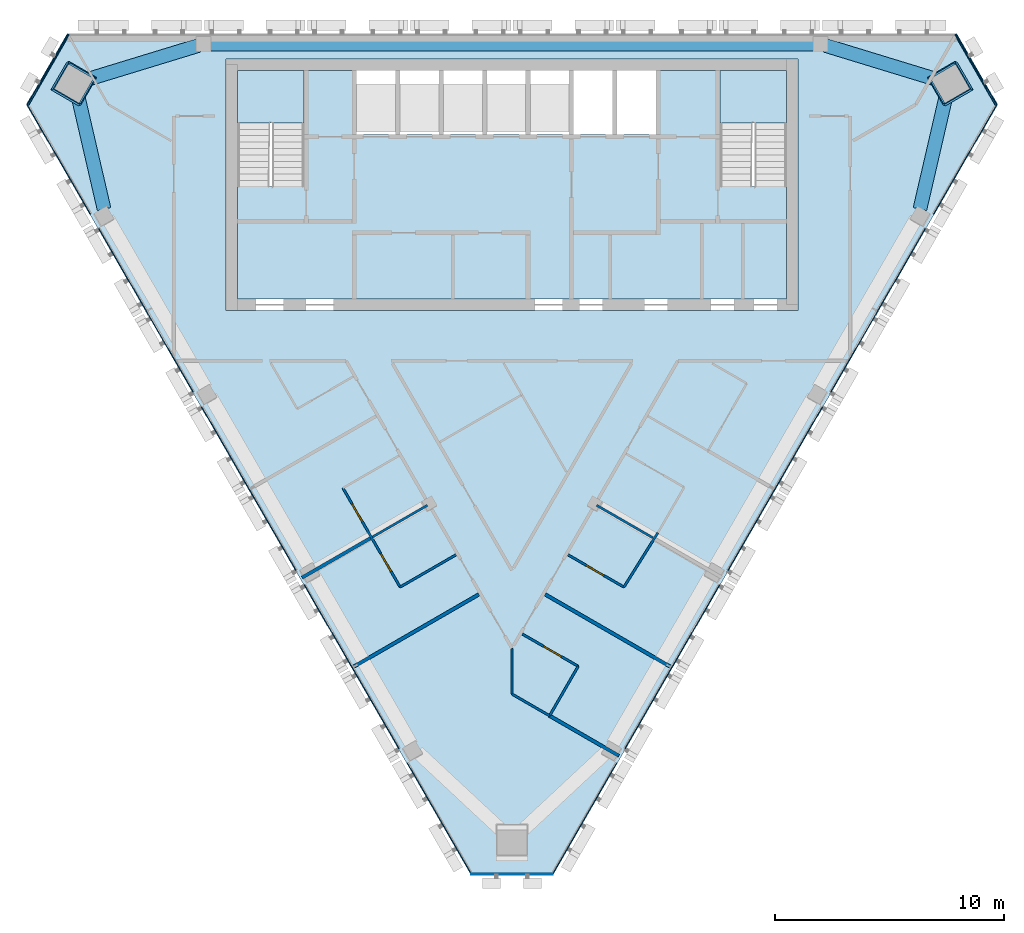
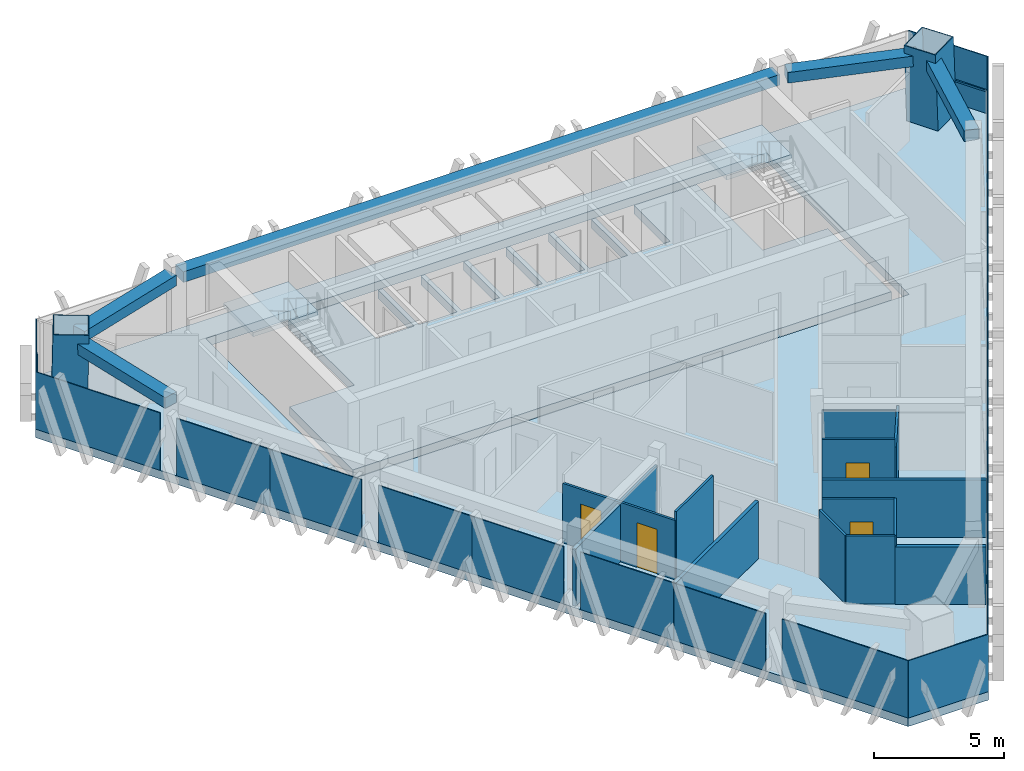
# One storey, part 5 of 11: 19 plates, 14 walls, 5 beams, 4 doors, 4 members, 4 slabs, 4 openings, 7 elements without a shape of their own.
"""IFC4 building model written with IfcOpenShell, lengths in metres."""

from ifc_helpers import new_model, si_unit, direction, frame, frame_2d, origin, origin_2d, place, context, subcontext, project, spatial, polyline, rectangle, hollow_rectangle, outline, extrude, material, layer, layer_set, material_profile, profile_set, type_object, element, fill, aggregate, save


model = new_model("IFC4")

# Units and contexts
model_context = context("Model", 3, precision=1e-05, world=origin(), true_north=direction((0.0, 1.0)))
body_context = subcontext(model_context, "Body", "Model", "MODEL_VIEW")
ifc_project = project(units=[si_unit("LENGTHUNIT", "METRE"), si_unit("AREAUNIT", "SQUARE_METRE"), si_unit("VOLUMEUNIT", "CUBIC_METRE"), si_unit("PLANEANGLEUNIT", "RADIAN"), si_unit("MASSUNIT", "GRAM", prefix="KILO")], contexts=[model_context])

# Site, building, storey
site_placement = place(None, origin())
site = spatial("IfcSite", under=ifc_project, at=site_placement, CompositionType="ELEMENT")
building_placement = place(site_placement, origin())
building = spatial("IfcBuilding", under=site, at=building_placement, Name="Altiplano Prism Tower", CompositionType="ELEMENT")
storey_placement = place(building_placement, frame((0.0, 0.0, 327.39990234375)))
storey = spatial("IfcBuildingStorey", under=building, at=storey_placement, Name="L85", CompositionType="ELEMENT", Elevation=327.39990234375)

# Curtain wall, member
ifc_material_1 = material(Name="Aluminium and glass", Category="aluminium")
ifc_layer_1 = layer(ifc_material_1, 0.280029296875)
ifc_layer_set_1 = layer_set([ifc_layer_1], Name="Aluminium and glass")
curtain_wall_type = type_object("IfcCurtainWallType", Name="CW1 typical co-living unitised curtain wall", PredefinedType="NOTDEFINED", material=ifc_layer_set_1)
curtain_wall_1_placement = place(storey_placement, origin())
curtain_wall_1 = element("IfcCurtainWall", 1, at=curtain_wall_1_placement, inside=storey, type_object=curtain_wall_type, Name="CW1 curtain wall north-west chamfer L85", PredefinedType="NOTDEFINED")
ifc_material_2 = material(Name="Aluminium", Category="aluminium")
ifc_material_profile_1 = material_profile(ifc_material_2, rectangle(XDim=0.06005859375, YDim=0.080078125, at=origin_2d()), Name="CW1 transom 80 x 60")
ifc_profile_set_1 = profile_set([ifc_material_profile_1], Name="Aluminium")
member_type_1 = type_object("IfcMemberType", Name="CW1 transom 80 x 60", PredefinedType="USERDEFINED", material=ifc_profile_set_1)
member_1_placement = place(storey_placement, frame((65.6142578125, 104.965087890625, 1.10009765625), z_axis=(-0.4999705729, -0.866042392862, 0.0), x_axis=(0.866042392862, -0.4999705729, 0.0)))
member_1 = element("IfcMember", 2, at=member_1_placement, type_object=member_type_1, Name="CW1 transom", ObjectType="TRANSOM", PredefinedType="USERDEFINED", context=body_context, shape_type="SweptSolid", body=[
    extrude(rectangle(XDim=0.06005859375, YDim=0.080078125, at=origin_2d()), origin(), (0.0, 0.0, 1.0), 3.577392578125),
])

curtain_wall_2_placement = place(storey_placement, origin())
curtain_wall_2 = element("IfcCurtainWall", 3, at=curtain_wall_2_placement, inside=storey, type_object=curtain_wall_type, Name="CW1 curtain wall north-east chamfer L85", PredefinedType="NOTDEFINED")
member_2_placement = place(storey_placement, frame((106.17431640625, 101.866943359375, 1.10009765625), z_axis=(-0.4999705729, 0.866042392862, 0.0), x_axis=(-0.866042392862, -0.4999705729, 0.0)))
member_2 = element("IfcMember", 4, at=member_2_placement, type_object=member_type_1, Name="CW1 transom", ObjectType="TRANSOM", PredefinedType="USERDEFINED", context=body_context, shape_type="SweptSolid", body=[
    extrude(rectangle(XDim=0.06005859375, YDim=0.080078125, at=origin_2d()), origin(), (0.0, 0.0, 1.0), 3.577392578125),
])

# Beams
ifc_material_3 = material(Name="Concrete C60/75", Category="concrete")
ifc_material_profile_2 = material_profile(ifc_material_3, rectangle(XDim=0.60009765625, YDim=0.5, at=origin_2d()), Name="Edge beam 600x500")
ifc_profile_set_2 = profile_set([ifc_material_profile_2], Name="Concrete C60/75")
beam_type = type_object("IfcBeamType", Name="Edge beam 600x500", PredefinedType="SPANDREL", material=ifc_profile_set_2)
beam_1_placement = place(storey_placement, frame((102.841552734375, 97.330078125, 2.9501953125), z_axis=(0.225027553278, 0.974352400452, 0.0), x_axis=(-0.974352400452, 0.225027553278, 0.0)))
element("IfcBeam", 5, at=beam_1_placement, inside=storey, type_object=beam_type, Name="Edge beam P24-M2 L86", PredefinedType="SPANDREL", context=body_context, shape_type="SweptSolid", body=[
    extrude(rectangle(XDim=0.60009765625, YDim=0.5, at=origin_2d()), origin(), (0.0, 0.0, 1.0), 5.198974609375),
])
beam_2_placement = place(storey_placement, frame((103.682373046875, 102.9658203125, 2.9501953125), z_axis=(-0.956311465301, 0.292349758566, 0.0), x_axis=(-0.292349758566, -0.956311465301, 0.0)))
element("IfcBeam", 6, at=beam_2_placement, inside=storey, type_object=beam_type, Name="Edge beam M2-P01 L86", PredefinedType="SPANDREL", context=body_context, shape_type="SweptSolid", body=[
    extrude(rectangle(XDim=0.60009765625, YDim=0.5, at=origin_2d()), origin(), (0.0, 0.0, 1.0), 5.19921875),
])
beam_3_placement = place(storey_placement, frame((98.294921875, 104.550048828125, 2.9501953125), z_axis=(-1.0, 0.0, 0.0), x_axis=(0.0, -1.0, 0.0)))
element("IfcBeam", 7, at=beam_3_placement, inside=storey, type_object=beam_type, Name="Edge beam P01-P04 L86", PredefinedType="SPANDREL", context=body_context, shape_type="SweptSolid", body=[
    extrude(rectangle(XDim=0.60009765625, YDim=0.5, at=origin_2d()), origin(), (0.0, 0.0, 1.0), 26.58984375),
])
beam_4_placement = place(storey_placement, frame((71.289794921875, 104.48583984375, 2.9501953125), z_axis=(-0.956311465301, -0.292349758566, 0.0), x_axis=(0.292349758566, -0.956311465301, 0.0)))
element("IfcBeam", 8, at=beam_4_placement, inside=storey, type_object=beam_type, Name="Edge beam P04-M0 L86", PredefinedType="SPANDREL", context=body_context, shape_type="SweptSolid", body=[
    extrude(rectangle(XDim=0.60009765625, YDim=0.5, at=origin_2d()), origin(), (0.0, 0.0, 1.0), 5.19921875),
])
beam_5_placement = place(storey_placement, frame((65.988525390625, 102.395751953125, 2.9501953125), z_axis=(0.225027553278, -0.974352400452, 0.0), x_axis=(0.974352400452, 0.225027553278, 0.0)))
element("IfcBeam", 9, at=beam_5_placement, inside=storey, type_object=beam_type, Name="Edge beam M0-P11 L86", PredefinedType="SPANDREL", context=body_context, shape_type="SweptSolid", body=[
    extrude(rectangle(XDim=0.60009765625, YDim=0.5, at=origin_2d()), origin(), (0.0, 0.0, 1.0), 5.198974609375),
])

# Members
ifc_material_4 = material(Name="Steel S460", Category="steel")
ifc_material_profile_3 = material_profile(ifc_material_4, hollow_rectangle(XDim=1.39990234375, YDim=1.39990234375, WallThickness=0.0400390625, at=origin_2d()), Name="Mega column tube 1400")
ifc_profile_set_3 = profile_set([ifc_material_profile_3], Name="Steel S460")
member_type_2 = type_object("IfcMemberType", Name="Mega column tube 1400", PredefinedType="POST", material=ifc_profile_set_3)
for number, where, z_axis, x_axis, name in (
    (10, (65.78515625, 102.801025390625, 0.0), (0.028401814599, 0.009218727412, 0.999554076572), (-0.865120123322, 0.501167417498, 0.019959756062), "Mega column tube M0 L85"),
    (11, (104.21484375, 102.801025390625, 0.0), (-0.028401814599, 0.009218727412, 0.999554076572), (0.500757440285, -0.865302682537, 0.02220931319), "Mega column tube M2 L85"),
):
    element("IfcMember", number, at=place(storey_placement, frame(where, z_axis=z_axis, x_axis=x_axis)), inside=storey, type_object=member_type_2, Name=name, PredefinedType="POST", context=body_context, shape_type="SweptSolid", body=[
        extrude(hollow_rectangle(XDim=1.39990234375, YDim=1.39990234375, WallThickness=0.0400390625, at=origin_2d()), origin(), (0.0, 0.0, 1.0), 3.601806640625),
    ])

# Plate
ifc_material_5 = material(Name="Clear glass", Category="glass")
ifc_layer_2 = layer(ifc_material_5, 0.0400390625)
ifc_layer_set_2 = layer_set([ifc_layer_2], Name="Clear glass")
plate_type = type_object("IfcPlateType", Name="CW1 insulated glass unit 40", PredefinedType="CURTAIN_PANEL", material=ifc_layer_set_2)
plate_1_placement = place(storey_placement, frame((64.676513671875, 103.44091796875, 0.0), z_axis=(0.0, 0.0, 1.0), x_axis=(-0.499999986971, -0.866025411307, 0.0)))
plate_1 = element("IfcPlate", 12, at=plate_1_placement, type_object=plate_type, Name="CW1 panel", PredefinedType="CURTAIN_PANEL", context=body_context, shape_type="SweptSolid", body=[
    extrude(rectangle(XDim=3.5673828125, YDim=0.0400390625, at=origin_2d()), origin(), (0.0, 0.0, 1.0), 2.699951171875),
])

aggregate(curtain_wall_1, [member_1, plate_1])

# Curtain wall, plates
curtain_wall_3_placement = place(storey_placement, origin())
curtain_wall_3 = element("IfcCurtainWall", 13, at=curtain_wall_3_placement, inside=storey, type_object=curtain_wall_type, Name="CW1 curtain wall south-west face L85", PredefinedType="NOTDEFINED")
plate_2_placement = place(storey_placement, frame((65.167724609375, 99.51220703125, 0.0), z_axis=(0.0, 0.0, 1.0), x_axis=(0.499999993455, -0.866025407563, 0.0)))
plate_2 = element("IfcPlate", 14, at=plate_2_placement, type_object=plate_type, Name="CW1 panel", PredefinedType="CURTAIN_PANEL", context=body_context, shape_type="SweptSolid", body=[
    extrude(rectangle(XDim=5.53173828125, YDim=0.0400390625, at=origin_2d()), origin(), (0.0, 0.0, 1.0), 2.699951171875),
])
plate_3_placement = place(storey_placement, frame((67.9619140625, 94.6728515625, 0.0), z_axis=(0.0, 0.0, 1.0), x_axis=(0.499999993455, -0.866025407563, 0.0)))
plate_3 = element("IfcPlate", 15, at=plate_3_placement, type_object=plate_type, Name="CW1 panel", PredefinedType="CURTAIN_PANEL", context=body_context, shape_type="SweptSolid", body=[
    extrude(rectangle(XDim=4.16455078125, YDim=0.0400390625, at=origin_2d()), origin(), (0.0, 0.0, 1.0), 2.699951171875),
])
plate_4_placement = place(storey_placement, frame((70.029296875, 91.091796875, 0.0), z_axis=(0.0, 0.0, 1.0), x_axis=(0.499999993455, -0.866025407563, 0.0)))
plate_4 = element("IfcPlate", 16, at=plate_4_placement, type_object=plate_type, Name="CW1 panel", PredefinedType="CURTAIN_PANEL", context=body_context, shape_type="SweptSolid", body=[
    extrude(rectangle(XDim=4.08544921875, YDim=0.0400390625, at=origin_2d()), origin(), (0.0, 0.0, 1.0), 2.699951171875),
])
plate_5_placement = place(storey_placement, frame((72.4619140625, 86.87841796875, 0.0), z_axis=(0.0, 0.0, 1.0), x_axis=(0.499999993455, -0.866025407563, 0.0)))
plate_5 = element("IfcPlate", 17, at=plate_5_placement, type_object=plate_type, Name="CW1 panel", PredefinedType="CURTAIN_PANEL", context=body_context, shape_type="SweptSolid", body=[
    extrude(rectangle(XDim=4.16455078125, YDim=0.0400390625, at=origin_2d()), origin(), (0.0, 0.0, 1.0), 2.699951171875),
])
plate_6_placement = place(storey_placement, frame((74.529296875, 83.297607421875, 0.0), z_axis=(0.0, 0.0, 1.0), x_axis=(0.499999993455, -0.866025407563, 0.0)))
plate_6 = element("IfcPlate", 18, at=plate_6_placement, type_object=plate_type, Name="CW1 panel", PredefinedType="CURTAIN_PANEL", context=body_context, shape_type="SweptSolid", body=[
    extrude(rectangle(XDim=4.08544921875, YDim=0.0400390625, at=origin_2d()), origin(), (0.0, 0.0, 1.0), 2.699951171875),
])
plate_7_placement = place(storey_placement, frame((76.9619140625, 79.084228515625, 0.0), z_axis=(0.0, 0.0, 1.0), x_axis=(0.499999993455, -0.866025407563, 0.0)))
plate_7 = element("IfcPlate", 19, at=plate_7_placement, type_object=plate_type, Name="CW1 panel", PredefinedType="CURTAIN_PANEL", context=body_context, shape_type="SweptSolid", body=[
    extrude(rectangle(XDim=4.16455078125, YDim=0.0400390625, at=origin_2d()), origin(), (0.0, 0.0, 1.0), 2.699951171875),
])
plate_8_placement = place(storey_placement, frame((79.029296875, 75.50341796875, 0.0), z_axis=(0.0, 0.0, 1.0), x_axis=(0.499999993455, -0.866025407563, 0.0)))
plate_8 = element("IfcPlate", 20, at=plate_8_placement, type_object=plate_type, Name="CW1 panel", PredefinedType="CURTAIN_PANEL", context=body_context, shape_type="SweptSolid", body=[
    extrude(rectangle(XDim=4.08544921875, YDim=0.0400390625, at=origin_2d()), origin(), (0.0, 0.0, 1.0), 2.699951171875),
])
plate_9_placement = place(storey_placement, frame((81.823486328125, 70.663818359375, 0.0), z_axis=(0.0, 0.0, 1.0), x_axis=(0.499999993455, -0.866025407563, 0.0)))
plate_9 = element("IfcPlate", 21, at=plate_9_placement, type_object=plate_type, Name="CW1 panel", PredefinedType="CURTAIN_PANEL", context=body_context, shape_type="SweptSolid", body=[
    extrude(rectangle(XDim=5.61083984375, YDim=0.0400390625, at=origin_2d()), origin(), (0.0, 0.0, 1.0), 2.699951171875),
])
aggregate(curtain_wall_3, [plate_2, plate_3, plate_4, plate_5, plate_6, plate_7, plate_8, plate_9])

# Curtain wall, plate
curtain_wall_4_placement = place(storey_placement, origin())
curtain_wall_4 = element("IfcCurtainWall", 22, at=curtain_wall_4_placement, inside=storey, type_object=curtain_wall_type, Name="CW1 curtain wall south chamfer L85", PredefinedType="NOTDEFINED")
plate_10_placement = place(storey_placement, frame((85.0, 68.23974609375, 0.0), z_axis=(0.0, 0.0, 1.0), x_axis=(1.0, 0.0, 0.0)))
plate_10 = element("IfcPlate", 23, at=plate_10_placement, type_object=plate_type, Name="CW1 panel", PredefinedType="CURTAIN_PANEL", context=body_context, shape_type="SweptSolid", body=[
    extrude(rectangle(XDim=3.5673828125, YDim=0.0400390625, at=origin_2d()), origin(), (0.0, 0.0, 1.0), 2.699951171875),
])
aggregate(curtain_wall_4, [plate_10])

# Curtain wall, plates
curtain_wall_5_placement = place(storey_placement, origin())
curtain_wall_5 = element("IfcCurtainWall", 24, at=curtain_wall_5_placement, inside=storey, type_object=curtain_wall_type, Name="CW1 curtain wall south-east face L85", PredefinedType="NOTDEFINED")
plate_11_placement = place(storey_placement, frame((88.176513671875, 70.663818359375, 0.0), z_axis=(0.0, 0.0, 1.0), x_axis=(0.499999993455, 0.866025407563, 0.0)))
plate_11 = element("IfcPlate", 25, at=plate_11_placement, type_object=plate_type, Name="CW1 panel", PredefinedType="CURTAIN_PANEL", context=body_context, shape_type="SweptSolid", body=[
    extrude(rectangle(XDim=5.61083984375, YDim=0.0400390625, at=origin_2d()), origin(), (0.0, 0.0, 1.0), 2.699951171875),
])
plate_12_placement = place(storey_placement, frame((90.970703125, 75.50341796875, 0.0), z_axis=(0.0, 0.0, 1.0), x_axis=(0.499999993455, 0.866025407563, 0.0)))
plate_12 = element("IfcPlate", 26, at=plate_12_placement, type_object=plate_type, Name="CW1 panel", PredefinedType="CURTAIN_PANEL", context=body_context, shape_type="SweptSolid", body=[
    extrude(rectangle(XDim=4.08544921875, YDim=0.0400390625, at=origin_2d()), origin(), (0.0, 0.0, 1.0), 2.699951171875),
])
plate_13_placement = place(storey_placement, frame((93.0380859375, 79.084228515625, 0.0), z_axis=(0.0, 0.0, 1.0), x_axis=(0.499999993455, 0.866025407563, 0.0)))
plate_13 = element("IfcPlate", 27, at=plate_13_placement, type_object=plate_type, Name="CW1 panel", PredefinedType="CURTAIN_PANEL", context=body_context, shape_type="SweptSolid", body=[
    extrude(rectangle(XDim=4.16455078125, YDim=0.0400390625, at=origin_2d()), origin(), (0.0, 0.0, 1.0), 2.699951171875),
])
plate_14_placement = place(storey_placement, frame((95.470703125, 83.297607421875, 0.0), z_axis=(0.0, 0.0, 1.0), x_axis=(0.499999993455, 0.866025407563, 0.0)))
plate_14 = element("IfcPlate", 28, at=plate_14_placement, type_object=plate_type, Name="CW1 panel", PredefinedType="CURTAIN_PANEL", context=body_context, shape_type="SweptSolid", body=[
    extrude(rectangle(XDim=4.08544921875, YDim=0.0400390625, at=origin_2d()), origin(), (0.0, 0.0, 1.0), 2.699951171875),
])
plate_15_placement = place(storey_placement, frame((97.5380859375, 86.87841796875, 0.0), z_axis=(0.0, 0.0, 1.0), x_axis=(0.499999993455, 0.866025407563, 0.0)))
plate_15 = element("IfcPlate", 29, at=plate_15_placement, type_object=plate_type, Name="CW1 panel", PredefinedType="CURTAIN_PANEL", context=body_context, shape_type="SweptSolid", body=[
    extrude(rectangle(XDim=4.16455078125, YDim=0.0400390625, at=origin_2d()), origin(), (0.0, 0.0, 1.0), 2.699951171875),
])
plate_16_placement = place(storey_placement, frame((99.970703125, 91.091796875, 0.0), z_axis=(0.0, 0.0, 1.0), x_axis=(0.499999993455, 0.866025407563, 0.0)))
plate_16 = element("IfcPlate", 30, at=plate_16_placement, type_object=plate_type, Name="CW1 panel", PredefinedType="CURTAIN_PANEL", context=body_context, shape_type="SweptSolid", body=[
    extrude(rectangle(XDim=4.08544921875, YDim=0.0400390625, at=origin_2d()), origin(), (0.0, 0.0, 1.0), 2.699951171875),
])
plate_17_placement = place(storey_placement, frame((102.0380859375, 94.6728515625, 0.0), z_axis=(0.0, 0.0, 1.0), x_axis=(0.499999993455, 0.866025407563, 0.0)))
plate_17 = element("IfcPlate", 31, at=plate_17_placement, type_object=plate_type, Name="CW1 panel", PredefinedType="CURTAIN_PANEL", context=body_context, shape_type="SweptSolid", body=[
    extrude(rectangle(XDim=4.16455078125, YDim=0.0400390625, at=origin_2d()), origin(), (0.0, 0.0, 1.0), 2.699951171875),
])
plate_18_placement = place(storey_placement, frame((104.832275390625, 99.51220703125, 0.0), z_axis=(0.0, 0.0, 1.0), x_axis=(0.499999993455, 0.866025407563, 0.0)))
plate_18 = element("IfcPlate", 32, at=plate_18_placement, type_object=plate_type, Name="CW1 panel", PredefinedType="CURTAIN_PANEL", context=body_context, shape_type="SweptSolid", body=[
    extrude(rectangle(XDim=5.53173828125, YDim=0.0400390625, at=origin_2d()), origin(), (0.0, 0.0, 1.0), 2.699951171875),
])
aggregate(curtain_wall_5, [plate_11, plate_12, plate_13, plate_14, plate_15, plate_16, plate_17, plate_18])

# Plate
plate_19_placement = place(storey_placement, frame((105.323486328125, 103.44091796875, 0.0), z_axis=(0.0, 0.0, 1.0), x_axis=(-0.499999986971, 0.866025411307, 0.0)))
plate_19 = element("IfcPlate", 33, at=plate_19_placement, type_object=plate_type, Name="CW1 panel", PredefinedType="CURTAIN_PANEL", context=body_context, shape_type="SweptSolid", body=[
    extrude(rectangle(XDim=3.5673828125, YDim=0.0400390625, at=origin_2d()), origin(), (0.0, 0.0, 1.0), 2.699951171875),
])

aggregate(curtain_wall_2, [member_2, plate_19])

# Slabs
ifc_material_6 = material(Name="Concrete C40/50", Category="concrete")
ifc_layer_3 = layer(ifc_material_6, 0.39990234375)
ifc_layer_set_3 = layer_set([ifc_layer_3], Name="Concrete C40/50")
slab_type_1 = type_object("IfcSlabType", Name="Core floor slab 400", PredefinedType="FLOOR", material=ifc_layer_set_3)
slab_1_placement = place(storey_placement, frame((0.0, 0.0, -0.39990234375)))
element("IfcSlab", 34, at=slab_1_placement, inside=storey, type_object=slab_type_1, Name="Core floor slab L85", PredefinedType="FLOOR", context=body_context, shape_type="SweptSolid", body=[
    extrude(outline(polyline([(97.0, 98.31005859375), (94.10009765625, 98.31005859375), (94.10009765625, 103.39990234375), (91.300048828125, 103.39990234375), (91.300048828125, 100.60009765625), (89.60009765625, 100.60009765625), (89.60009765625, 103.39990234375), (89.39990234375, 103.39990234375), (89.39990234375, 100.60009765625), (87.699951171875, 100.60009765625), (87.699951171875, 103.39990234375), (87.5, 103.39990234375), (87.5, 100.60009765625), (85.800048828125, 100.60009765625), (85.800048828125, 103.39990234375), (85.60009765625, 103.39990234375), (85.60009765625, 100.60009765625), (83.89990234375, 100.60009765625), (83.89990234375, 103.39990234375), (83.699951171875, 103.39990234375), (83.699951171875, 100.60009765625), (82.0, 100.60009765625), (82.0, 103.39990234375), (81.800048828125, 103.39990234375), (81.800048828125, 100.60009765625), (80.10009765625, 100.60009765625), (80.10009765625, 103.39990234375), (79.89990234375, 103.39990234375), (79.89990234375, 100.60009765625), (78.199951171875, 100.60009765625), (78.199951171875, 103.39990234375), (75.89990234375, 103.39990234375), (75.89990234375, 98.31005859375), (73.0, 98.31005859375), (73.0, 93.39990234375), (97.0, 93.39990234375), (97.0, 98.31005859375)])), origin(), (0.0, 0.0, 1.0), 0.39990234375),
])
ifc_layer_4 = layer(ifc_material_6, 0.39990234375)
ifc_layer_set_4 = layer_set([ifc_layer_4], Name="Concrete C40/50")
slab_type_2 = type_object("IfcSlabType", Name="Post-tensioned flat slab 400", PredefinedType="FLOOR", material=ifc_layer_set_4)
slab_2_placement = place(storey_placement, frame((0.0, 0.0, -0.39990234375)))
element("IfcSlab", 35, at=slab_2_placement, inside=storey, type_object=slab_type_2, Name="Floor slab L85", PredefinedType="FLOOR", context=body_context, shape_type="SweptSolid", body=[
    extrude(outline(polyline([(106.235107421875, 101.902099609375), (86.78857421875, 68.2197265625), (83.21142578125, 68.2197265625), (63.764892578125, 101.902099609375), (65.5537109375, 105.0), (104.4462890625, 105.0), (106.235107421875, 101.902099609375)]), holes=[polyline([(97.5, 92.89990234375), (97.5, 103.89990234375), (72.5, 103.89990234375), (72.5, 92.89990234375), (97.5, 92.89990234375)])]), origin(), (0.0, 0.0, 1.0), 0.39990234375),
])

# Stair, slab
stair_type = type_object("IfcStairType", Name="Exit stair 1400", PredefinedType="HALF_TURN_STAIR", material=ifc_material_6)
stair_1_placement = place(storey_placement, origin())
stair_1 = element("IfcStair", 36, at=stair_1_placement, inside=storey, type_object=stair_type, Name="L85 Exit Stair 1", PredefinedType="HALF_TURN_STAIR")
ifc_layer_5 = layer(ifc_material_6, 0.199951171875)
ifc_layer_set_5 = layer_set([ifc_layer_5], Name="Concrete C40/50")
slab_type_3 = type_object("IfcSlabType", Name="Stair landing 200", PredefinedType="LANDING", material=ifc_layer_set_5)
slab_3_placement = place(storey_placement, frame((0.0, 0.0, 1.60009765625)))
slab_3 = element("IfcSlab", 37, at=slab_3_placement, type_object=slab_type_3, Name="ST1 landing 1", PredefinedType="LANDING", context=body_context, shape_type="SweptSolid", body=[
    extrude(outline(polyline([(75.89990234375, 101.096923828125), (75.89990234375, 103.39990234375), (73.0, 103.39990234375), (73.0, 101.096923828125), (75.89990234375, 101.096923828125)])), origin(), (0.0, 0.0, 1.0), 0.199951171875),
])
aggregate(stair_1, [slab_3])

stair_2_placement = place(storey_placement, origin())
stair_2 = element("IfcStair", 38, at=stair_2_placement, inside=storey, type_object=stair_type, Name="L85 Exit Stair 2", PredefinedType="HALF_TURN_STAIR")
slab_4_placement = place(storey_placement, frame((0.0, 0.0, 1.60009765625)))
slab_4 = element("IfcSlab", 39, at=slab_4_placement, type_object=slab_type_3, Name="ST2 landing 1", PredefinedType="LANDING", context=body_context, shape_type="SweptSolid", body=[
    extrude(outline(polyline([(97.0, 101.096923828125), (97.0, 103.39990234375), (94.10009765625, 103.39990234375), (94.10009765625, 101.096923828125), (97.0, 101.096923828125)])), origin(), (0.0, 0.0, 1.0), 0.199951171875),
])
aggregate(stair_2, [slab_4])

# Wall, openings, doors
ifc_material_7 = material(Name="Plasterboard on steel stud", Category="steel")
ifc_layer_6 = layer(ifc_material_7, 0.10009765625)
ifc_layer_set_6 = layer_set([ifc_layer_6], Name="Plasterboard on steel stud")
wall_type_1 = type_object("IfcWallType", Name="Partition 100 unit", PredefinedType="PARTITIONING", material=ifc_layer_set_6)
wall_1_placement = place(storey_placement, frame((80.10595703125, 80.798828125, 0.0), z_axis=(0.0, 0.0, 1.0), x_axis=(-0.500004234368, 0.866022959057, 0.0)))
wall_1 = element("IfcWall", 40, at=wall_1_placement, inside=storey, type_object=wall_type_1, Name="Partition P02 L85 021", PredefinedType="PARTITIONING", context=body_context, shape_type="SweptSolid", body=[
    extrude(rectangle(XDim=5.0, YDim=0.10009765625, at=frame_2d((2.5, 0.0))), origin(), (0.0, 0.0, 1.0), 2.800048828125),
])
opening_1_placement = place(wall_1_placement, frame((3.300048828125, 0.0, 0.0)))
opening_1 = element("IfcOpeningElement", 41, at=opening_1_placement, cuts=wall_1, Name="Opening D2468", PredefinedType="OPENING", context=body_context, shape_type="SweptSolid", body=[
    extrude(rectangle(XDim=0.89990234375, YDim=2.10009765625, at=frame_2d((0.449951171875, 1.050048828125))), frame((0.0, 0.060546875, 0.0), z_axis=(0.0, -1.0, 0.0), x_axis=(1.0, 0.0, 0.0)), (0.0, 0.0, 1.0), 0.12109375),
])
opening_2_placement = place(wall_1_placement, frame((0.800048828125, 0.0, 0.0)))
opening_2 = element("IfcOpeningElement", 42, at=opening_2_placement, cuts=wall_1, Name="Opening D2470", PredefinedType="OPENING", context=body_context, shape_type="SweptSolid", body=[
    extrude(rectangle(XDim=0.89990234375, YDim=2.10009765625, at=frame_2d((0.449951171875, 1.050048828125))), frame((0.0, 0.060546875, 0.0), z_axis=(0.0, -1.0, 0.0), x_axis=(1.0, 0.0, 0.0)), (0.0, 0.0, 1.0), 0.12109375),
])
ifc_material_8 = material(Name="Timber", Category="wood")
door_type = type_object("IfcDoorType", Name="Ensuite door 900 x 2100", OperationType="NOTDEFINED", PredefinedType="NOTDEFINED", material=ifc_material_8)
door_1_placement = place(opening_1_placement, origin())
door_1 = element("IfcDoor", 43, at=door_1_placement, inside=storey, type_object=door_type, Name="Door D2468", OperationType="SINGLE_SWING_RIGHT", OverallHeight=2.10009765625, OverallWidth=0.89990234375, PredefinedType="NOTDEFINED", context=body_context, shape_type="SweptSolid", body=[
    extrude(rectangle(XDim=0.89990234375, YDim=2.10009765625, at=frame_2d((0.449951171875, 1.050048828125))), frame((0.0, 0.02490234375, 0.0), z_axis=(0.0, -1.0, 0.0), x_axis=(1.0, 0.0, 0.0)), (0.0, 0.0, 1.0), 0.050048828125),
])
fill(opening_1, door_1)
door_2_placement = place(opening_2_placement, origin())
door_2 = element("IfcDoor", 44, at=door_2_placement, inside=storey, type_object=door_type, Name="Door D2470", OperationType="SINGLE_SWING_RIGHT", OverallHeight=2.10009765625, OverallWidth=0.89990234375, PredefinedType="NOTDEFINED", context=body_context, shape_type="SweptSolid", body=[
    extrude(rectangle(XDim=0.89990234375, YDim=2.10009765625, at=frame_2d((0.449951171875, 1.050048828125))), frame((0.0, 0.02490234375, 0.0), z_axis=(0.0, -1.0, 0.0), x_axis=(1.0, 0.0, 0.0)), (0.0, 0.0, 1.0), 0.050048828125),
])
fill(opening_2, door_2)

# Wall
wall_2_placement = place(storey_placement, frame((82.552490234375, 82.211181640625, 0.0), z_axis=(0.0, 0.0, 1.0), x_axis=(-0.866048868473, -0.499959355765, 0.0)))
element("IfcWall", 45, at=wall_2_placement, inside=storey, type_object=wall_type_1, Name="Partition P02 L85 025", PredefinedType="PARTITIONING", context=body_context, shape_type="SweptSolid", body=[
    extrude(rectangle(XDim=2.824951171875, YDim=0.10009765625, at=frame_2d((1.41259765625, 0.0))), origin(), (0.0, 0.0, 1.0), 3.2001953125),
])

# Wall, opening, door
wall_3_placement = place(storey_placement, frame((85.44775390625, 78.7470703125, 0.0), z_axis=(0.0, 0.0, 1.0), x_axis=(0.866027263711, -0.4999967785, 0.0)))
wall_3 = element("IfcWall", 46, at=wall_3_placement, inside=storey, type_object=wall_type_1, Name="Partition P02 L85 030", PredefinedType="PARTITIONING", context=body_context, shape_type="SweptSolid", body=[
    extrude(rectangle(XDim=2.82470703125, YDim=0.10009765625, at=frame_2d((1.412353515625, 0.0))), origin(), (0.0, 0.0, 1.0), 3.2001953125),
])
opening_3_placement = place(wall_3_placement, frame((1.076904296875, 0.0, 0.0)))
opening_3 = element("IfcOpeningElement", 47, at=opening_3_placement, cuts=wall_3, Name="Opening D2473", PredefinedType="OPENING", context=body_context, shape_type="SweptSolid", body=[
    extrude(rectangle(XDim=0.89990234375, YDim=2.10009765625, at=frame_2d((0.449951171875, 1.050048828125))), frame((0.0, 0.060546875, 0.0), z_axis=(0.0, -1.0, 0.0), x_axis=(1.0, 0.0, 0.0)), (0.0, 0.0, 1.0), 0.12109375),
])
door_3_placement = place(opening_3_placement, origin())
door_3 = element("IfcDoor", 48, at=door_3_placement, inside=storey, type_object=door_type, Name="Door D2473", OperationType="SINGLE_SWING_RIGHT", OverallHeight=2.10009765625, OverallWidth=0.89990234375, PredefinedType="NOTDEFINED", context=body_context, shape_type="SweptSolid", body=[
    extrude(rectangle(XDim=0.89990234375, YDim=2.10009765625, at=frame_2d((0.449951171875, 1.050048828125))), frame((0.0, 0.02490234375, 0.0), z_axis=(0.0, -1.0, 0.0), x_axis=(1.0, 0.0, 0.0)), (0.0, 0.0, 1.0), 0.050048828125),
])
fill(opening_3, door_3)

# Walls
wall_4_placement = place(storey_placement, frame((87.89404296875, 77.334716796875, 0.0), z_axis=(0.0, 0.0, 1.0), x_axis=(-0.500004234368, -0.866022959057, 0.0)))
element("IfcWall", 49, at=wall_4_placement, inside=storey, type_object=wall_type_1, Name="Partition P02 L85 031", PredefinedType="PARTITIONING", context=body_context, shape_type="SweptSolid", body=[
    extrude(rectangle(XDim=2.5, YDim=0.10009765625, at=frame_2d((1.25, 0.0))), origin(), (0.0, 0.0, 1.0), 3.2001953125),
])
wall_5_placement = place(storey_placement, frame((91.380859375, 83.173583984375, 0.0), z_axis=(0.0, 0.0, 1.0), x_axis=(-0.530664542771, -0.847581938839, 0.0)))
element("IfcWall", 50, at=wall_5_placement, inside=storey, type_object=wall_type_1, Name="Partition P02 L85 033", PredefinedType="PARTITIONING", context=body_context, shape_type="SweptSolid", body=[
    extrude(rectangle(XDim=2.8017578125, YDim=0.10009765625, at=frame_2d((1.40087890625, 0.0))), origin(), (0.0, 0.0, 1.0), 2.800048828125),
])

# Wall, opening, door
wall_6_placement = place(storey_placement, frame((89.89404296875, 80.798828125, 0.0), z_axis=(0.0, 0.0, 1.0), x_axis=(-0.866027263711, 0.4999967785, 0.0)))
wall_6 = element("IfcWall", 51, at=wall_6_placement, inside=storey, type_object=wall_type_1, Name="Partition P02 L85 034", PredefinedType="PARTITIONING", context=body_context, shape_type="SweptSolid", body=[
    extrude(rectangle(XDim=2.82470703125, YDim=0.10009765625, at=frame_2d((1.412353515625, 0.0))), origin(), (0.0, 0.0, 1.0), 3.2001953125),
])
opening_4_placement = place(wall_6_placement, frame((1.0, 0.0, 0.0)))
opening_4 = element("IfcOpeningElement", 52, at=opening_4_placement, cuts=wall_6, Name="Opening D2475", PredefinedType="OPENING", context=body_context, shape_type="SweptSolid", body=[
    extrude(rectangle(XDim=0.89990234375, YDim=2.10009765625, at=frame_2d((0.449951171875, 1.050048828125))), frame((0.0, 0.060546875, 0.0), z_axis=(0.0, -1.0, 0.0), x_axis=(1.0, 0.0, 0.0)), (0.0, 0.0, 1.0), 0.12109375),
])
door_4_placement = place(opening_4_placement, origin())
door_4 = element("IfcDoor", 53, at=door_4_placement, inside=storey, type_object=door_type, Name="Door D2475", OperationType="SINGLE_SWING_RIGHT", OverallHeight=2.10009765625, OverallWidth=0.89990234375, PredefinedType="NOTDEFINED", context=body_context, shape_type="SweptSolid", body=[
    extrude(rectangle(XDim=0.89990234375, YDim=2.10009765625, at=frame_2d((0.449951171875, 1.050048828125))), frame((0.0, 0.02490234375, 0.0), z_axis=(0.0, -1.0, 0.0), x_axis=(1.0, 0.0, 0.0)), (0.0, 0.0, 1.0), 0.050048828125),
])
fill(opening_4, door_4)

# Walls
ifc_layer_7 = layer(ifc_material_7, 0.10009765625)
ifc_layer_set_7 = layer_set([ifc_layer_7], Name="Plasterboard on steel stud")
wall_type_2 = type_object("IfcWallType", Name="Partition 100 wet", PredefinedType="PARTITIONING", material=ifc_layer_set_7)
wall_7_placement = place(storey_placement, frame((78.899169921875, 82.98876953125, 0.0), z_axis=(0.0, 0.0, 1.0), x_axis=(0.866042014628, 0.499971228071, 0.0)))
element("IfcWall", 54, at=wall_7_placement, inside=storey, type_object=wall_type_2, Name="Partition P03 L85 024", PredefinedType="PARTITIONING", context=body_context, shape_type="SweptSolid", body=[
    extrude(rectangle(XDim=2.775146484375, YDim=0.10009765625, at=frame_2d((1.3876953125, 0.0))), origin(), (0.0, 0.0, 1.0), 2.800048828125),
])
wall_8_placement = place(storey_placement, frame((86.64404296875, 75.169677734375, 0.0), z_axis=(0.0, 0.0, 1.0), x_axis=(-0.86601853819, 0.50001189137, 0.0)))
element("IfcWall", 55, at=wall_8_placement, inside=storey, type_object=wall_type_2, Name="Partition P03 L85 028", PredefinedType="PARTITIONING", context=body_context, shape_type="SweptSolid", body=[
    extrude(rectangle(XDim=1.8984375, YDim=0.10009765625, at=frame_2d((0.94921875, 0.0))), origin(), (0.0, 0.0, 1.0), 3.2001953125),
])
wall_9_placement = place(storey_placement, frame((85.0, 76.118896484375, 0.0), z_axis=(0.0, 0.0, 1.0), x_axis=(0.0, 1.0, 0.0)))
element("IfcWall", 56, at=wall_9_placement, inside=storey, type_object=wall_type_2, Name="Partition P03 L85 029", PredefinedType="PARTITIONING", context=body_context, shape_type="SweptSolid", body=[
    extrude(rectangle(XDim=2.0029296875, YDim=0.10009765625, at=frame_2d((1.00146484375, 0.0))), origin(), (0.0, 0.0, 1.0), 3.2001953125),
])
wall_10_placement = place(storey_placement, frame((91.161376953125, 82.953857421875, 0.0), z_axis=(0.0, 0.0, 1.0), x_axis=(-0.866026948466, 0.499997324523, 0.0)))
element("IfcWall", 57, at=wall_10_placement, inside=storey, type_object=wall_type_2, Name="Partition P03 L85 036", PredefinedType="PARTITIONING", context=body_context, shape_type="SweptSolid", body=[
    extrude(rectangle(XDim=2.8447265625, YDim=0.10009765625, at=frame_2d((1.42236328125, 0.0))), origin(), (0.0, 0.0, 1.0), 2.800048828125),
])
ifc_layer_8 = layer(ifc_material_7, 0.14990234375)
ifc_layer_set_8 = layer_set([ifc_layer_8], Name="Plasterboard on steel stud")
wall_type_3 = type_object("IfcWallType", Name="Partition 150 party", PredefinedType="PARTITIONING", material=ifc_layer_set_8)
wall_11_placement = place(storey_placement, frame((75.82470703125, 81.2138671875, 0.0), z_axis=(0.0, 0.0, 1.0), x_axis=(0.866044174857, 0.499967486139, 0.0)))
element("IfcWall", 58, at=wall_11_placement, inside=storey, type_object=wall_type_3, Name="Partition P01 L85 023", PredefinedType="PARTITIONING", context=body_context, shape_type="SweptSolid", body=[
    extrude(rectangle(XDim=3.449951171875, YDim=0.14990234375, at=frame_2d((1.72509765625, 0.0))), origin(), (0.0, 0.0, 1.0), 2.7001953125),
])
wall_12_placement = place(storey_placement, frame((78.057373046875, 77.306640625, 0.0), z_axis=(0.0, 0.0, 1.0), x_axis=(0.866025401434, 0.500000004071, 0.0)))
element("IfcWall", 59, at=wall_12_placement, inside=storey, type_object=wall_type_3, Name="Partition P01 L85 026", PredefinedType="PARTITIONING", context=body_context, shape_type="SweptSolid", body=[
    extrude(rectangle(XDim=6.34521484375, YDim=0.14990234375, at=frame_2d((3.172607421875, 0.0))), origin(), (0.0, 0.0, 1.0), 2.7001953125),
])
wall_13_placement = place(storey_placement, frame((89.67529296875, 73.419677734375, 0.0), z_axis=(0.0, 0.0, 1.0), x_axis=(-0.866036909293, 0.499980071345, 0.0)))
element("IfcWall", 60, at=wall_13_placement, inside=storey, type_object=wall_type_3, Name="Partition P01 L85 027", PredefinedType="PARTITIONING", context=body_context, shape_type="SweptSolid", body=[
    extrude(rectangle(XDim=3.500244140625, YDim=0.14990234375, at=frame_2d((1.75, 0.0))), origin(), (0.0, 0.0, 1.0), 2.7001953125),
])
wall_14_placement = place(storey_placement, frame((91.942626953125, 77.306640625, 0.0), z_axis=(0.0, 0.0, 1.0), x_axis=(-0.866015781869, 0.500016665277, 0.0)))
element("IfcWall", 61, at=wall_14_placement, inside=storey, type_object=wall_type_3, Name="Partition P01 L85 032", PredefinedType="PARTITIONING", context=body_context, shape_type="SweptSolid", body=[
    extrude(rectangle(XDim=6.344970703125, YDim=0.14990234375, at=frame_2d((3.17236328125, 0.0))), origin(), (0.0, 0.0, 1.0), 2.7001953125),
])

save(model, "model.ifc")
